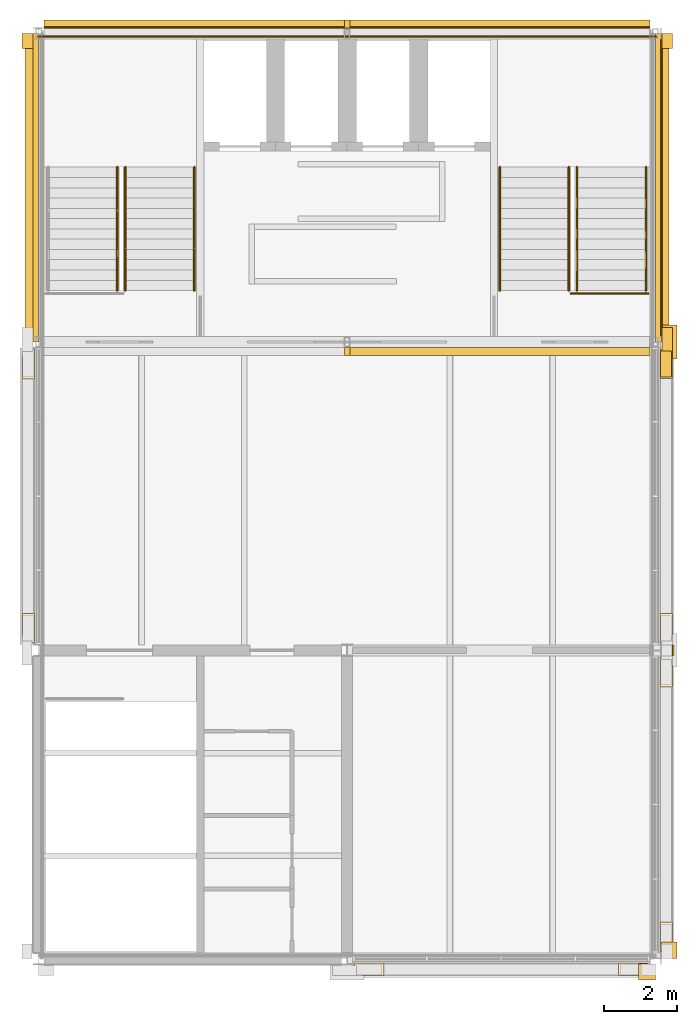
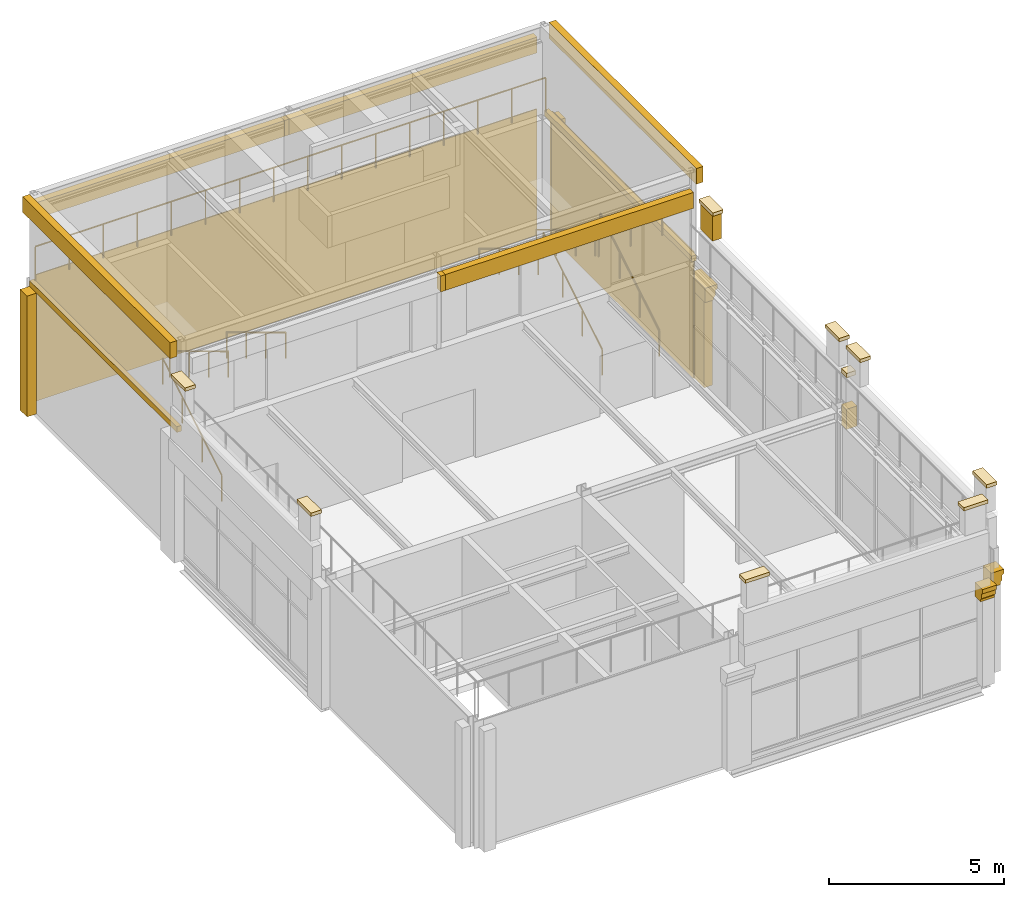
# One storey, part 7 of 7: 28 coverings, 9 railings.
"""IFC4 building model written with IfcOpenShell, lengths in metres."""

from ifc_helpers import new_model, si_unit, direction, frame, origin, origin_2d, place, context, subcontext, project, spatial, polyline, rectangle, circle, outline, extrude, material, layer, layer_set, type_object, element, save


model = new_model("IFC4")

# Units and contexts
model_context = context("Model", 3, precision=1e-05, world=origin(), true_north=direction((0.0, 1.0)))
body_context = subcontext(model_context, "Body", "Model", "MODEL_VIEW")
ifc_project = project(units=[si_unit("LENGTHUNIT", "METRE"), si_unit("AREAUNIT", "SQUARE_METRE"), si_unit("VOLUMEUNIT", "CUBIC_METRE"), si_unit("PLANEANGLEUNIT", "RADIAN"), si_unit("MASSUNIT", "GRAM", prefix="KILO")], contexts=[model_context])

# Site, building, storey
site_placement = place(None, origin())
site = spatial("IfcSite", under=ifc_project, at=site_placement, CompositionType="ELEMENT")
building_placement = place(site_placement, origin())
building = spatial("IfcBuilding", under=site, at=building_placement, Name="Galleria Vessillo Department Store", CompositionType="ELEMENT")
storey_placement = place(building_placement, frame((0.0, 0.0, 67.60009765625)))
storey = spatial("IfcBuildingStorey", under=building, at=storey_placement, Name="L15", CompositionType="ELEMENT", Elevation=67.60009765625)

# Coverings
ifc_material_1 = material(Name="Lime plaster (intonaco) ochre")
ifc_layer_1 = layer(ifc_material_1, 0.030029296875)
ifc_layer_set_1 = layer_set([ifc_layer_1], Name="Lime plaster (intonaco) ochre")
covering_type_1 = type_object("IfcCoveringType", Name="Lime plaster render 30 mm", PredefinedType="CLADDING", material=ifc_layer_set_1)
covering_1_placement = place(storey_placement, frame((109.195068359375, 63.1650390625, 0.0), z_axis=(0.0, 0.0, 1.0), x_axis=(1.0, 0.0, 0.0)))
element("IfcCovering", 1, at=covering_1_placement, inside=storey, type_object=covering_type_1, Name="Wall cladding S-CW-TC-PARTY-L15", PredefinedType="CLADDING", context=body_context, shape_type="SweptSolid", body=[
    extrude(rectangle(XDim=16.489990234375, YDim=0.030029296875, at=origin_2d()), origin(), (0.0, 0.0, 1.0), 4.400146484375),
])
ifc_material_2 = material(Name="Botticino limestone ashlar", Category="masonry")
ifc_layer_2 = layer(ifc_material_2, 0.449951171875)
ifc_layer_set_2 = layer_set([ifc_layer_2], Name="Botticino limestone ashlar")
covering_type_2 = type_object("IfcCoveringType", Name="Limestone cornice 450 x 700", PredefinedType="MOLDING", material=ifc_layer_set_2)
covering_2_placement = place(storey_placement, frame((117.93505859375, 46.199951171875, 3.5), z_axis=(0.0, 0.0, 1.0), x_axis=(1.0, 0.0, 0.0)))
element("IfcCovering", 2, at=covering_2_placement, inside=storey, type_object=covering_type_2, Name="Joint block Cornice TE-L15-01", PredefinedType="MOLDING", context=body_context, shape_type="SweptSolid", body=[
    extrude(rectangle(XDim=0.349853515625, YDim=0.300048828125, at=origin_2d()), origin(), (0.0, 0.0, 1.0), 0.699951171875),
])
ifc_material_3 = material(Name="Botticino limestone ashlar", Category="masonry")
ifc_layer_3 = layer(ifc_material_3, 0.340087890625)
ifc_layer_set_3 = layer_set([ifc_layer_3], Name="Botticino limestone ashlar")
covering_type_3 = type_object("IfcCoveringType", Name="Limestone crown cap 340 x 150", PredefinedType="MOLDING", material=ifc_layer_set_3)
covering_3_placement = place(storey_placement, frame((117.91015625, 46.199951171875, 5.300048828125), z_axis=(0.0, 0.0, 1.0), x_axis=(1.0, 0.0, 0.0)))
element("IfcCovering", 3, at=covering_3_placement, inside=storey, type_object=covering_type_3, Name="Joint block Crown cap TE-L15-01", PredefinedType="MOLDING", context=body_context, shape_type="SweptSolid", body=[
    extrude(rectangle(XDim=0.2998046875, YDim=0.300048828125, at=origin_2d()), origin(), (0.0, 0.0, 1.0), 0.14990234375),
])
ifc_material_4 = material(Name="Botticino limestone ashlar", Category="masonry")
ifc_layer_4 = layer(ifc_material_4, 0.300048828125)
ifc_layer_set_4 = layer_set([ifc_layer_4], Name="Botticino limestone ashlar")
covering_type_4 = type_object("IfcCoveringType", Name="Limestone crown pedestal 700 x 300 x 900", PredefinedType="CLADDING", material=ifc_layer_set_4)
covering_4_placement = place(storey_placement, frame((117.89013671875, 54.0, 5.449951171875), z_axis=(0.0, 0.0, 1.0), x_axis=(1.0, 0.0, 0.0)))
element("IfcCovering", 4, at=covering_4_placement, inside=storey, type_object=covering_type_4, Name="Crown pedestal TE-L15-02 1", PredefinedType="CLADDING", context=body_context, shape_type="SweptSolid", body=[
    extrude(rectangle(XDim=0.300048828125, YDim=0.699951171875, at=origin_2d()), origin(), (0.0, 0.0, 1.0), 0.89990234375),
])
ifc_material_5 = material(Name="Botticino limestone ashlar", Category="masonry")
ifc_layer_5 = layer(ifc_material_5, 0.340087890625)
ifc_layer_set_5 = layer_set([ifc_layer_5], Name="Botticino limestone ashlar")
covering_type_5 = type_object("IfcCoveringType", Name="Limestone crown pedestal cap 800 x 340 x 120", PredefinedType="MOLDING", material=ifc_layer_set_5)
for number, where, z_axis, x_axis, name in (
    (5, (100.510009765625, 46.81005859375, 6.349853515625), (0.0, 0.0, 1.0), (1.0, 0.0, 0.0), "Crown pedestal cap TW-L15-01 0"),
    (6, (100.510009765625, 53.989990234375, 6.349853515625), (0.0, 0.0, 1.0), (1.0, 0.0, 0.0), "Crown pedestal cap TW-L15-01 1"),
):
    element("IfcCovering", number, at=place(storey_placement, frame(where, z_axis=z_axis, x_axis=x_axis)), inside=storey, type_object=covering_type_5, Name=name, PredefinedType="MOLDING", context=body_context, shape_type="SweptSolid", body=[
        extrude(rectangle(XDim=0.340087890625, YDim=0.800048828125, at=origin_2d()), origin(), (0.0, 0.0, 1.0), 0.1201171875),
    ])
for number, where, z_axis, x_axis, name in (
    (7, (109.800048828125, 37.510009765625, 6.349853515625), (0.0, 0.0, 1.0), (1.0, 0.0, 0.0), "Crown pedestal cap TS-L15-01 0"),
    (8, (116.989990234375, 37.510009765625, 6.349853515625), (0.0, 0.0, 1.0), (1.0, 0.0, 0.0), "Crown pedestal cap TS-L15-01 1"),
):
    element("IfcCovering", number, at=place(storey_placement, frame(where, z_axis=z_axis, x_axis=x_axis)), inside=storey, type_object=covering_type_5, Name=name, PredefinedType="MOLDING", context=body_context, shape_type="SweptSolid", body=[
        extrude(rectangle(XDim=0.800048828125, YDim=0.340087890625, at=origin_2d()), origin(), (0.0, 0.0, 1.0), 0.1201171875),
    ])
for number, where, z_axis, x_axis, name in (
    (9, (117.89013671875, 38.400146484375, 6.349853515625), (0.0, 0.0, 1.0), (1.0, 0.0, 0.0), "Crown pedestal cap TE-L15-01 0"),
    (10, (117.89013671875, 45.599853515625, 6.349853515625), (0.0, 0.0, 1.0), (1.0, 0.0, 0.0), "Crown pedestal cap TE-L15-01 1"),
    (11, (117.89013671875, 46.800048828125, 6.349853515625), (0.0, 0.0, 1.0), (1.0, 0.0, 0.0), "Crown pedestal cap TE-L15-02 0"),
    (12, (117.89013671875, 54.0, 6.349853515625), (0.0, 0.0, 1.0), (1.0, 0.0, 0.0), "Crown pedestal cap TE-L15-02 1"),
):
    element("IfcCovering", number, at=place(storey_placement, frame(where, z_axis=z_axis, x_axis=x_axis)), inside=storey, type_object=covering_type_5, Name=name, PredefinedType="MOLDING", context=body_context, shape_type="SweptSolid", body=[
        extrude(rectangle(XDim=0.340087890625, YDim=0.800048828125, at=origin_2d()), origin(), (0.0, 0.0, 1.0), 0.1201171875),
    ])
ifc_material_6 = material(Name="Botticino limestone ashlar", Category="masonry")
ifc_layer_6 = layer(ifc_material_6, 0.219970703125)
ifc_layer_set_6 = layer_set([ifc_layer_6], Name="Botticino limestone ashlar")
covering_type_6 = type_object("IfcCoveringType", Name="Limestone head-house cornice 220 x 550", PredefinedType="MOLDING", material=ifc_layer_set_6)
for number, where, z_axis, x_axis, name in (
    (13, (100.5400390625, 58.800048828125, 6.85009765625), (0.0, 0.0, 1.0), (1.0, 0.0, 0.0), "Head-house cornice west"),
    (14, (117.860107421875, 58.800048828125, 6.85009765625), (0.0, 0.0, 1.0), (1.0, 0.0, 0.0), "Head-house cornice east"),
):
    element("IfcCovering", number, at=place(storey_placement, frame(where, z_axis=z_axis, x_axis=x_axis)), inside=storey, type_object=covering_type_6, Name=name, PredefinedType="MOLDING", context=body_context, shape_type="SweptSolid", body=[
        extrude(rectangle(XDim=0.219970703125, YDim=8.39990234375, at=origin_2d()), origin(), (0.0, 0.0, 1.0), 0.550048828125),
    ])
covering_5_placement = place(storey_placement, frame((113.362548828125, 54.340087890625, 6.35009765625), z_axis=(0.0, 0.0, 1.0), x_axis=(1.0, 0.0, 0.0)))
element("IfcCovering", 15, at=covering_5_placement, inside=storey, type_object=covering_type_6, Name="Head-house cornice south-2", PredefinedType="MOLDING", context=body_context, shape_type="SweptSolid", body=[
    extrude(rectangle(XDim=8.1748046875, YDim=0.219970703125, at=origin_2d()), origin(), (0.0, 0.0, 1.0), 0.550048828125),
])
covering_6_placement = place(storey_placement, frame((105.03759765625, 63.260009765625, 6.35009765625), z_axis=(0.0, 0.0, 1.0), x_axis=(1.0, 0.0, 0.0)))
element("IfcCovering", 16, at=covering_6_placement, inside=storey, type_object=covering_type_6, Name="Head-house cornice north-1", PredefinedType="MOLDING", context=body_context, shape_type="SweptSolid", body=[
    extrude(rectangle(XDim=8.175048828125, YDim=0.219970703125, at=origin_2d()), origin(), (0.0, 0.0, 1.0), 0.550048828125),
])
covering_7_placement = place(storey_placement, frame((113.362548828125, 63.260009765625, 6.35009765625), z_axis=(0.0, 0.0, 1.0), x_axis=(1.0, 0.0, 0.0)))
element("IfcCovering", 17, at=covering_7_placement, inside=storey, type_object=covering_type_6, Name="Head-house cornice north-2", PredefinedType="MOLDING", context=body_context, shape_type="SweptSolid", body=[
    extrude(rectangle(XDim=8.1748046875, YDim=0.219970703125, at=origin_2d()), origin(), (0.0, 0.0, 1.0), 0.550048828125),
])
for number, where, z_axis, x_axis, name in (
    (18, (109.2001953125, 54.340087890625, 6.35009765625), (0.0, 0.0, 1.0), (1.0, 0.0, 0.0), "Joint block Head-house cornice south-1"),
    (19, (109.2001953125, 63.260009765625, 6.35009765625), (0.0, 0.0, 1.0), (1.0, 0.0, 0.0), "Joint block Head-house cornice north-1"),
):
    element("IfcCovering", number, at=place(storey_placement, frame(where, z_axis=z_axis, x_axis=x_axis)), inside=storey, type_object=covering_type_6, Name=name, PredefinedType="MOLDING", context=body_context, shape_type="SweptSolid", body=[
        extrude(rectangle(XDim=0.14990234375, YDim=0.219970703125, at=origin_2d()), origin(), (0.0, 0.0, 1.0), 0.550048828125),
    ])
ifc_material_7 = material(Name="Botticino limestone ashlar", Category="masonry")
ifc_layer_7 = layer(ifc_material_7, 0.14990234375)
ifc_layer_set_7 = layer_set([ifc_layer_7], Name="Botticino limestone ashlar")
covering_type_7 = type_object("IfcCoveringType", Name="Limestone slab-edge fascia 150 mm", PredefinedType="CLADDING", material=ifc_layer_set_7)
for number, where, z_axis, x_axis, name in (
    (20, (100.72509765625, 58.800048828125, 4.19970703125), (0.0, 0.0, 1.0), (1.0, 0.0, 0.0), "Roof-edge fascia head-house west"),
    (21, (117.675048828125, 58.800048828125, 4.19970703125), (0.0, 0.0, 1.0), (1.0, 0.0, 0.0), "Roof-edge fascia head-house east"),
):
    element("IfcCovering", number, at=place(storey_placement, frame(where, z_axis=z_axis, x_axis=x_axis)), inside=storey, type_object=covering_type_7, Name=name, PredefinedType="CLADDING", context=body_context, shape_type="SweptSolid", body=[
        extrude(rectangle(XDim=0.14990234375, YDim=8.39990234375, at=origin_2d()), origin(), (0.0, 0.0, 1.0), 0.199951171875),
    ])
ifc_material_8 = material(Name="Botticino limestone ashlar", Category="masonry")
ifc_layer_8 = layer(ifc_material_8, 0.31005859375)
ifc_layer_set_8 = layer_set([ifc_layer_8], Name="Botticino limestone ashlar")
covering_type_8 = type_object("IfcCoveringType", Name="Limestone tower pilaster strip", PredefinedType="CLADDING", material=ifc_layer_set_8)
covering_8_placement = place(storey_placement, frame((100.4951171875, 62.800048828125, 0.0), z_axis=(0.0, 0.0, 1.0), x_axis=(1.0, 0.0, 0.0)))
element("IfcCovering", 22, at=covering_8_placement, inside=storey, type_object=covering_type_8, Name="Tower pilaster strip W L15 63.0", PredefinedType="CLADDING", context=body_context, shape_type="SweptSolid", body=[
    extrude(rectangle(XDim=0.31005859375, YDim=0.39990234375, at=origin_2d()), origin(), (0.0, 0.0, 1.0), 4.199951171875),
])
covering_9_placement = place(storey_placement, frame((117.919921875, 54.60009765625, 0.0), z_axis=(0.0, 0.0, 1.0), x_axis=(1.0, 0.0, 0.0)))
element("IfcCovering", 23, at=covering_9_placement, inside=storey, type_object=covering_type_8, Name="Tower pilaster strip E L15 54.6", PredefinedType="CLADDING", context=body_context, shape_type="SweptSolid", body=[
    extrude(rectangle(XDim=0.280029296875, YDim=0.800048828125, at=origin_2d()), origin(), (0.0, 0.0, 1.0), 3.0),
])
covering_10_placement = place(storey_placement, frame((117.919921875, 62.800048828125, 0.0), z_axis=(0.0, 0.0, 1.0), x_axis=(1.0, 0.0, 0.0)))
element("IfcCovering", 24, at=covering_10_placement, inside=storey, type_object=covering_type_8, Name="Tower pilaster strip E L15 63.0", PredefinedType="CLADDING", context=body_context, shape_type="SweptSolid", body=[
    extrude(rectangle(XDim=0.280029296875, YDim=0.39990234375, at=origin_2d()), origin(), (0.0, 0.0, 1.0), 4.199951171875),
])
ifc_material_9 = material(Name="Botticino limestone ashlar", Category="masonry")
ifc_layer_9 = layer(ifc_material_9, 0.429931640625)
ifc_layer_set_9 = layer_set([ifc_layer_9], Name="Botticino limestone ashlar")
covering_type_9 = type_object("IfcCoveringType", Name="Limestone tower strip capital", PredefinedType="MOLDING", material=ifc_layer_set_9)
covering_11_placement = place(storey_placement, frame((117.60009765625, 38.260009765625, 3.0), z_axis=(0.0, -1.0, 0.0), x_axis=(1.0, 0.0, 0.0)))
element("IfcCovering", 25, at=covering_11_placement, inside=storey, type_object=covering_type_9, Name="Tower strip capital E L15 37.8", PredefinedType="MOLDING", context=body_context, shape_type="SweptSolid", body=[
    extrude(outline(polyline([(0.159912109375, 0.0), (0.4599609375, 0.0), (0.4599609375, 0.083251953125), (0.52001953125, 0.14990234375), (0.52001953125, 0.316650390625), (0.580078125, 0.35009765625), (0.580078125, 0.5), (0.159912109375, 0.5), (0.159912109375, 0.0)])), origin(), (0.0, 0.0, 1.0), 0.4599609375),
])
covering_12_placement = place(storey_placement, frame((117.60009765625, 55.06005859375, 3.0), z_axis=(0.0, -1.0, 0.0), x_axis=(1.0, 0.0, 0.0)))
element("IfcCovering", 26, at=covering_12_placement, inside=storey, type_object=covering_type_9, Name="Tower strip capital E L15 54.6", PredefinedType="MOLDING", context=body_context, shape_type="SweptSolid", body=[
    extrude(outline(polyline([(0.179931640625, 0.0), (0.4599609375, 0.0), (0.4599609375, 0.083251953125), (0.52001953125, 0.14990234375), (0.52001953125, 0.316650390625), (0.580078125, 0.35009765625), (0.580078125, 0.5), (0.179931640625, 0.5), (0.179931640625, 0.0)])), origin(), (0.0, 0.0, 1.0), 0.919921875),
])
covering_13_placement = place(storey_placement, frame((117.60009765625, 37.800048828125, 3.0), z_axis=(-1.0, 0.0, 0.0), x_axis=(0.0, -1.0, 0.0)))
element("IfcCovering", 27, at=covering_13_placement, inside=storey, type_object=covering_type_9, Name="Tower strip capital S L15 117.6", PredefinedType="MOLDING", context=body_context, shape_type="SweptSolid", body=[
    extrude(outline(polyline([(0.14990234375, 0.0), (0.4599609375, 0.0), (0.4599609375, 0.083251953125), (0.52001953125, 0.14990234375), (0.52001953125, 0.316650390625), (0.580078125, 0.35009765625), (0.580078125, 0.5), (0.14990234375, 0.5), (0.14990234375, 0.0)])), origin(), (0.0, 0.0, 1.0), 0.4599609375),
])
ifc_material_10 = material(Name="Botticino limestone ashlar", Category="masonry")
ifc_layer_10 = layer(ifc_material_10, 0.030029296875)
ifc_layer_set_10 = layer_set([ifc_layer_10], Name="Botticino limestone ashlar")
covering_type_10 = type_object("IfcCoveringType", Name="Limestone wall cladding 30 mm", PredefinedType="CLADDING", material=ifc_layer_set_10)
covering_14_placement = place(storey_placement, frame((117.76513671875, 58.800048828125, 0.0), z_axis=(0.0, 0.0, 1.0), x_axis=(1.0, 0.0, 0.0)))
element("IfcCovering", 28, at=covering_14_placement, inside=storey, type_object=covering_type_10, Name="Wall cladding S-CW-TC-EAST-L15", PredefinedType="CLADDING", context=body_context, shape_type="SweptSolid", body=[
    extrude(rectangle(XDim=0.030029296875, YDim=8.099853515625, at=origin_2d()), origin(), (0.0, 0.0, 1.0), 4.400146484375),
])

# Railings
ifc_material_11 = material(Name="Limestone ashlar balusters", Category="masonry")
railing_type_1 = type_object("IfcRailingType", Name="Roof belvedere balustrade 1200 mm", PredefinedType="BALUSTRADE", material=ifc_material_11)
railing_1_placement = place(storey_placement, frame((100.800048828125, 62.919921875, 4.39990234375)))
element("IfcRailing", 29, at=railing_1_placement, inside=storey, type_object=railing_type_1, Name="Roof balustrade L15-03", PredefinedType="BALUSTRADE", context=body_context, shape_type="SweptSolid", body=[
    extrude(circle(Radius=0.02392578125, at=origin_2d()), frame((0.0, 0.0, 1.17578125), z_axis=(1.0, 0.0, 0.0), x_axis=(0.0, 1.0, 0.0)), (0.0, 0.0, 1.0), 16.800048828125),
    extrude(circle(Radius=0.02099609375, at=origin_2d()), origin(), (0.0, 0.0, 1.0), 1.15185546875),
    extrude(circle(Radius=0.02099609375, at=origin_2d()), frame((1.1201171875, 0.0, 0.0)), (0.0, 0.0, 1.0), 1.15185546875),
    extrude(circle(Radius=0.02099609375, at=origin_2d()), frame((2.239990234375, 0.0, 0.0)), (0.0, 0.0, 1.0), 1.15185546875),
    extrude(circle(Radius=0.02099609375, at=origin_2d()), frame((3.360107421875, 0.0, 0.0)), (0.0, 0.0, 1.0), 1.15185546875),
    extrude(circle(Radius=0.02099609375, at=origin_2d()), frame((4.47998046875, 0.0, 0.0)), (0.0, 0.0, 1.0), 1.15185546875),
    extrude(circle(Radius=0.02099609375, at=origin_2d()), frame((5.60009765625, 0.0, 0.0)), (0.0, 0.0, 1.0), 1.15185546875),
    extrude(circle(Radius=0.02099609375, at=origin_2d()), frame((6.719970703125, 0.0, 0.0)), (0.0, 0.0, 1.0), 1.15185546875),
    extrude(circle(Radius=0.02099609375, at=origin_2d()), frame((7.840087890625, 0.0, 0.0)), (0.0, 0.0, 1.0), 1.15185546875),
    extrude(circle(Radius=0.02099609375, at=origin_2d()), frame((8.9599609375, 0.0, 0.0)), (0.0, 0.0, 1.0), 1.15185546875),
    extrude(circle(Radius=0.02099609375, at=origin_2d()), frame((10.080078125, 0.0, 0.0)), (0.0, 0.0, 1.0), 1.15185546875),
    extrude(circle(Radius=0.02099609375, at=origin_2d()), frame((11.199951171875, 0.0, 0.0)), (0.0, 0.0, 1.0), 1.15185546875),
    extrude(circle(Radius=0.02099609375, at=origin_2d()), frame((12.320068359375, 0.0, 0.0)), (0.0, 0.0, 1.0), 1.15185546875),
    extrude(circle(Radius=0.02099609375, at=origin_2d()), frame((13.43994140625, 0.0, 0.0)), (0.0, 0.0, 1.0), 1.15185546875),
    extrude(circle(Radius=0.02099609375, at=origin_2d()), frame((14.56005859375, 0.0, 0.0)), (0.0, 0.0, 1.0), 1.15185546875),
    extrude(circle(Radius=0.02099609375, at=origin_2d()), frame((15.679931640625, 0.0, 0.0)), (0.0, 0.0, 1.0), 1.15185546875),
    extrude(circle(Radius=0.02099609375, at=origin_2d()), frame((16.800048828125, 0.0, 0.0)), (0.0, 0.0, 1.0), 1.15185546875),
])
ifc_material_12 = material(Name="Stainless steel tube", Category="steel")
railing_type_2 = type_object("IfcRailingType", Name="Stair handrail steel tube 48 mm", PredefinedType="HANDRAIL", material=ifc_material_12)
railing_2_placement = place(storey_placement, frame((102.93994140625, 56.0, 0.169189453125)))
element("IfcRailing", 30, at=railing_2_placement, inside=storey, type_object=railing_type_2, Name="Handrail ST8 L15 flight 1B", PredefinedType="HANDRAIL", context=body_context, shape_type="SweptSolid", body=[
    extrude(circle(Radius=0.02392578125, at=origin_2d()), frame((0.0, 0.0, 0.89599609375), z_axis=(0.0, 0.855826086875, 0.517263674565), x_axis=(-1.0, 0.0, 0.0)), (0.0, 0.0, 1.0), 1.308837890625),
    extrude(circle(Radius=0.02392578125, at=origin_2d()), frame((0.0, 1.1201171875, 1.57275390625), z_axis=(0.0, 0.855776165093, 0.517346262438), x_axis=(-1.0, 0.0, 0.0)), (0.0, 0.0, 1.0), 1.30859375),
    extrude(circle(Radius=0.02392578125, at=origin_2d()), frame((0.0, 2.239990234375, 2.25), z_axis=(0.0, 0.855908661032, 0.517127028854), x_axis=(-1.0, 0.0, 0.0)), (0.0, 0.0, 1.0), 1.30859375),
    extrude(circle(Radius=0.02099609375, at=origin_2d()), origin(), (0.0, 0.0, 1.0), 0.871826171875),
    extrude(circle(Radius=0.02099609375, at=origin_2d()), frame((0.0, 1.1201171875, 0.677001953125)), (0.0, 0.0, 1.0), 0.871826171875),
    extrude(circle(Radius=0.02099609375, at=origin_2d()), frame((0.0, 2.239990234375, 1.35400390625)), (0.0, 0.0, 1.0), 0.871826171875),
    extrude(circle(Radius=0.02099609375, at=origin_2d()), frame((0.0, 3.360107421875, 2.03076171875)), (0.0, 0.0, 1.0), 0.871826171875),
])
for number, where, name in (
    (31, (105.0400390625, 59.360107421875, 2.369140625), "Handrail ST8 L15 flight 2A"),
    (32, (103.16015625, 59.360107421875, 2.369140625), "Handrail ST8 L15 flight 2B"),
):
    element("IfcRailing", number, at=place(storey_placement, frame(where)), inside=storey, type_object=railing_type_2, Name=name, PredefinedType="HANDRAIL", context=body_context, shape_type="SweptSolid", body=[
        extrude(circle(Radius=0.02392578125, at=origin_2d()), frame((0.0, 0.0, 0.89599609375), z_axis=(0.0, -0.855826086875, 0.517263674565), x_axis=(1.0, 0.0, 0.0)), (0.0, 0.0, 1.0), 1.308837890625),
        extrude(circle(Radius=0.02392578125, at=origin_2d()), frame((0.0, -1.1201171875, 1.57275390625), z_axis=(0.0, -0.855776165093, 0.517346262438), x_axis=(1.0, 0.0, 0.0)), (0.0, 0.0, 1.0), 1.30859375),
        extrude(circle(Radius=0.02392578125, at=origin_2d()), frame((0.0, -2.239990234375, 2.25), z_axis=(0.0, -0.855908661032, 0.517127028854), x_axis=(1.0, 0.0, 0.0)), (0.0, 0.0, 1.0), 1.30859375),
        extrude(circle(Radius=0.02099609375, at=origin_2d()), origin(), (0.0, 0.0, 1.0), 0.871826171875),
        extrude(circle(Radius=0.02099609375, at=origin_2d()), frame((0.0, -1.1201171875, 0.677001953125)), (0.0, 0.0, 1.0), 0.871826171875),
        extrude(circle(Radius=0.02099609375, at=origin_2d()), frame((0.0, -2.239990234375, 1.35400390625)), (0.0, 0.0, 1.0), 0.871826171875),
        extrude(circle(Radius=0.02099609375, at=origin_2d()), frame((0.0, -3.360107421875, 2.03076171875)), (0.0, 0.0, 1.0), 0.871826171875),
    ])
for number, where, name in (
    (33, (115.4599609375, 56.0, 0.169189453125), "Handrail ST9 L15 flight 1A"),
    (34, (117.33984375, 56.0, 0.169189453125), "Handrail ST9 L15 flight 1B"),
):
    element("IfcRailing", number, at=place(storey_placement, frame(where)), inside=storey, type_object=railing_type_2, Name=name, PredefinedType="HANDRAIL", context=body_context, shape_type="SweptSolid", body=[
        extrude(circle(Radius=0.02392578125, at=origin_2d()), frame((0.0, 0.0, 0.89599609375), z_axis=(0.0, 0.855826086875, 0.517263674565), x_axis=(-1.0, 0.0, 0.0)), (0.0, 0.0, 1.0), 1.308837890625),
        extrude(circle(Radius=0.02392578125, at=origin_2d()), frame((0.0, 1.1201171875, 1.57275390625), z_axis=(0.0, 0.855776165093, 0.517346262438), x_axis=(-1.0, 0.0, 0.0)), (0.0, 0.0, 1.0), 1.30859375),
        extrude(circle(Radius=0.02392578125, at=origin_2d()), frame((0.0, 2.239990234375, 2.25), z_axis=(0.0, 0.855908661032, 0.517127028854), x_axis=(-1.0, 0.0, 0.0)), (0.0, 0.0, 1.0), 1.30859375),
        extrude(circle(Radius=0.02099609375, at=origin_2d()), origin(), (0.0, 0.0, 1.0), 0.871826171875),
        extrude(circle(Radius=0.02099609375, at=origin_2d()), frame((0.0, 1.1201171875, 0.677001953125)), (0.0, 0.0, 1.0), 0.871826171875),
        extrude(circle(Radius=0.02099609375, at=origin_2d()), frame((0.0, 2.239990234375, 1.35400390625)), (0.0, 0.0, 1.0), 0.871826171875),
        extrude(circle(Radius=0.02099609375, at=origin_2d()), frame((0.0, 3.360107421875, 2.03076171875)), (0.0, 0.0, 1.0), 0.871826171875),
    ])
for number, where, name in (
    (35, (115.239990234375, 59.360107421875, 2.369140625), "Handrail ST9 L15 flight 2A"),
    (36, (113.360107421875, 59.360107421875, 2.369140625), "Handrail ST9 L15 flight 2B"),
):
    element("IfcRailing", number, at=place(storey_placement, frame(where)), inside=storey, type_object=railing_type_2, Name=name, PredefinedType="HANDRAIL", context=body_context, shape_type="SweptSolid", body=[
        extrude(circle(Radius=0.02392578125, at=origin_2d()), frame((0.0, 0.0, 0.89599609375), z_axis=(0.0, -0.855826086875, 0.517263674565), x_axis=(1.0, 0.0, 0.0)), (0.0, 0.0, 1.0), 1.308837890625),
        extrude(circle(Radius=0.02392578125, at=origin_2d()), frame((0.0, -1.1201171875, 1.57275390625), z_axis=(0.0, -0.855776165093, 0.517346262438), x_axis=(1.0, 0.0, 0.0)), (0.0, 0.0, 1.0), 1.30859375),
        extrude(circle(Radius=0.02392578125, at=origin_2d()), frame((0.0, -2.239990234375, 2.25), z_axis=(0.0, -0.855908661032, 0.517127028854), x_axis=(1.0, 0.0, 0.0)), (0.0, 0.0, 1.0), 1.30859375),
        extrude(circle(Radius=0.02099609375, at=origin_2d()), origin(), (0.0, 0.0, 1.0), 0.871826171875),
        extrude(circle(Radius=0.02099609375, at=origin_2d()), frame((0.0, -1.1201171875, 0.677001953125)), (0.0, 0.0, 1.0), 0.871826171875),
        extrude(circle(Radius=0.02099609375, at=origin_2d()), frame((0.0, -2.239990234375, 1.35400390625)), (0.0, 0.0, 1.0), 0.871826171875),
        extrude(circle(Radius=0.02099609375, at=origin_2d()), frame((0.0, -3.360107421875, 2.03076171875)), (0.0, 0.0, 1.0), 0.871826171875),
    ])
ifc_material_13 = material(Name="Stainless steel tube", Category="steel")
railing_type_3 = type_object("IfcRailingType", Name="Stair well guard 1100 mm", PredefinedType="GUARDRAIL", material=ifc_material_13)
railing_3_placement = place(storey_placement, frame((117.400146484375, 55.919921875, 4.39990234375)))
element("IfcRailing", 37, at=railing_3_placement, inside=storey, type_object=railing_type_3, Name="Stair well guard ST9 L15", PredefinedType="GUARDRAIL", context=body_context, shape_type="SweptSolid", body=[
    extrude(circle(Radius=0.02392578125, at=origin_2d()), frame((0.0, 0.0, 1.076171875), z_axis=(-1.0, 0.0, 0.0), x_axis=(0.0, -1.0, 0.0)), (0.0, 0.0, 1.0), 2.10009765625),
    extrude(circle(Radius=0.02099609375, at=origin_2d()), origin(), (0.0, 0.0, 1.0), 1.052001953125),
    extrude(circle(Radius=0.02099609375, at=origin_2d()), frame((-1.050048828125, 0.0, 0.0)), (0.0, 0.0, 1.0), 1.052001953125),
    extrude(circle(Radius=0.02099609375, at=origin_2d()), frame((-2.10009765625, 0.0, 0.0)), (0.0, 0.0, 1.0), 1.052001953125),
])

save(model, "model.ifc")
